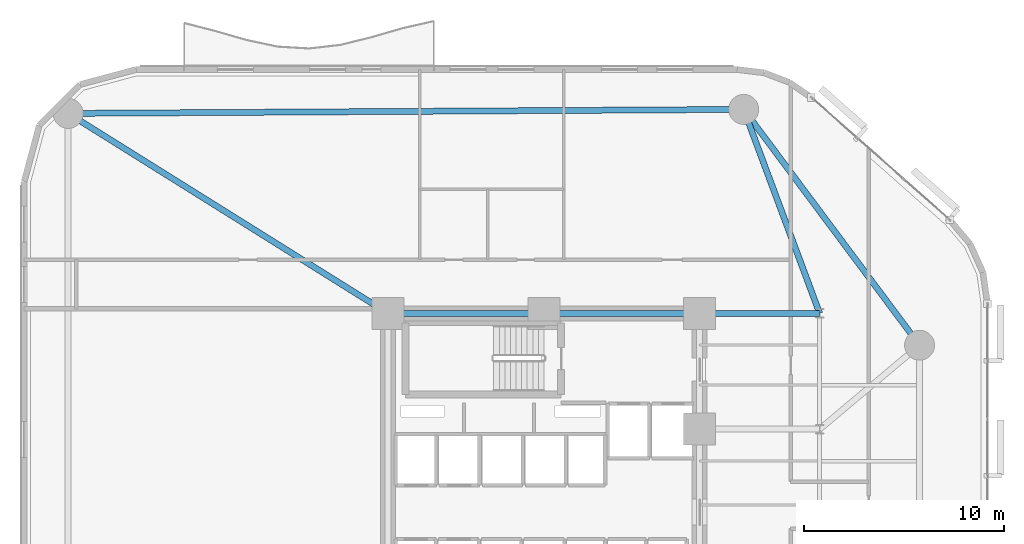
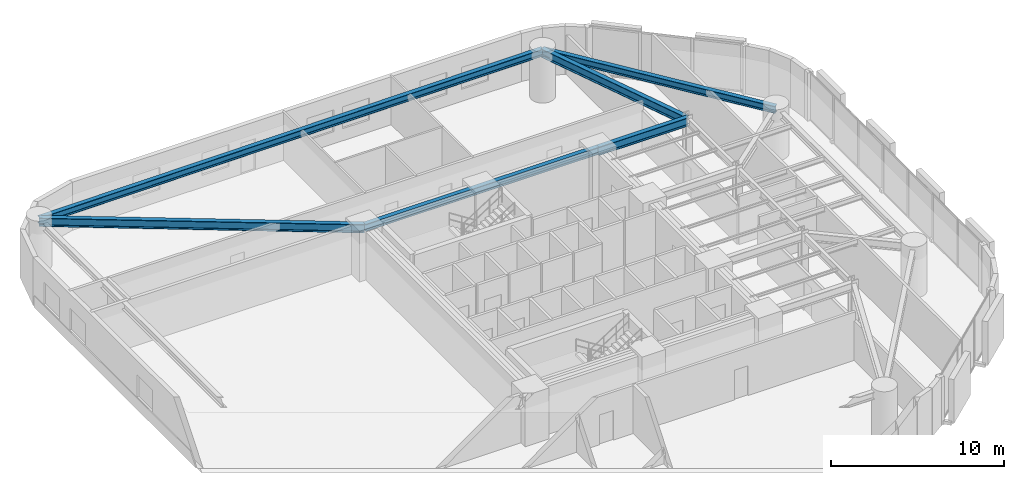
# One storey, part 7 of 15: 6 beams.
"""IFC4 building model written with IfcOpenShell, lengths in metres."""

import ifcopenshell
import ifcopenshell.guid

model = None  # the IFC model being written
_history = None  # IfcOwnerHistory: only IFC2X3 demands one
_inside = {}  # id of a spatial element -> (the spatial element, [elements in it])
_under = {}  # id of a project, library or spatial element -> (it, [spatial elements below it])
_declared = {}  # id of a project -> (the project, [libraries it declares])
_typed = {}  # id of a type object -> (the type object, [elements of that type])
_made_of = {}  # id of a material, layer set ... -> (it, [elements and type objects made of it])


def new_model(schema):
    """Start an empty IFC model of exactly this schema.

    Asked for "IFC4X3", IfcOpenShell would pick the latest addendum, in which some entities
    have other attributes; the version numbers below select the first issue.
    IFC2X3 requires an IfcOwnerHistory on every rooted entity: one is made here for all.
    """
    global model, _history
    if schema == "IFC4X3":
        model = ifcopenshell.file(schema_version=(4, 3, 0, 0))
    else:
        model = ifcopenshell.file(schema=schema)
    _inside.clear()
    _under.clear()
    _declared.clear()
    _typed.clear()
    _made_of.clear()
    _history = None
    if model.schema == "IFC2X3":
        org = make("IfcOrganization", Name="unknown")
        user = make(
            "IfcPersonAndOrganization",
            ThePerson=make("IfcPerson", FamilyName="unknown"),
            TheOrganization=org,
        )
        app = make(
            "IfcApplication",
            ApplicationDeveloper=org,
            Version="unknown",
            ApplicationFullName="unknown",
            ApplicationIdentifier="unknown",
        )
        _history = make(
            "IfcOwnerHistory",
            OwningUser=user,
            OwningApplication=app,
            ChangeAction="ADDED",
            CreationDate=0,
        )
    return model


def make(cls, **values):
    """One entity of the class cls with the attributes given. An attribute that is None is left unset."""
    return model.create_entity(
        cls, **{name: value for name, value in values.items() if value is not None}
    )


def rooted(cls, **values):
    """An entity with a GlobalId (a new one), such as an element, a storey or a relation."""
    return make(cls, GlobalId=ifcopenshell.guid.new(), OwnerHistory=_history, **values)


def si_unit(unit_type, name, prefix=None):
    """IfcSIUnit, for example si_unit("LENGTHUNIT", "METRE", prefix="MILLI")."""
    return make("IfcSIUnit", UnitType=unit_type, Prefix=prefix, Name=name)


def assignment(units):
    """IfcUnitAssignment: the units of a project."""
    return None if units is None else make("IfcUnitAssignment", Units=units)


def point(xyz):
    """IfcCartesianPoint."""
    return None if xyz is None else make("IfcCartesianPoint", Coordinates=xyz)


def direction(xyz):
    """IfcDirection."""
    return None if xyz is None else make("IfcDirection", DirectionRatios=xyz)


def frame(location, z_axis=None, x_axis=None):
    """IfcAxis2Placement3D, a coordinate frame: its origin and axes. An axis left out is left unset."""
    return make(
        "IfcAxis2Placement3D",
        Location=point(location),
        Axis=direction(z_axis),
        RefDirection=direction(x_axis),
    )


def frame_2d(location, x_axis=None):
    """IfcAxis2Placement2D, a coordinate frame in the plane: its origin and x axis."""
    return make(
        "IfcAxis2Placement2D", Location=point(location), RefDirection=direction(x_axis)
    )


def origin():
    """The frame at (0, 0, 0) with its axes left unset."""
    return frame((0.0, 0.0, 0.0))


def origin_2d():
    """The frame at (0, 0) in the plane with its x axis left unset."""
    return frame_2d((0.0, 0.0))


def place(relative_to, where):
    """IfcLocalPlacement: puts the frame where relative to a parent placement (None: the world)."""
    return make(
        "IfcLocalPlacement", PlacementRelTo=relative_to, RelativePlacement=where
    )


def context(
    kind, dimensions, precision=None, world=None, true_north=None, identifier=None
):
    """IfcGeometricRepresentationContext, for example the 3D "Model" context."""
    return make(
        "IfcGeometricRepresentationContext",
        ContextIdentifier=identifier,
        ContextType=kind,
        CoordinateSpaceDimension=dimensions,
        Precision=precision,
        WorldCoordinateSystem=world,
        TrueNorth=true_north,
    )


def subcontext(parent, identifier, kind, view, scale=None):
    """IfcGeometricRepresentationSubContext, for example "Body" below "Model"."""
    return make(
        "IfcGeometricRepresentationSubContext",
        ContextIdentifier=identifier,
        ContextType=kind,
        ParentContext=parent,
        TargetScale=scale,
        TargetView=view,
    )


def project(units=None, contexts=None):
    """IfcProject with its units and contexts."""
    return rooted(
        "IfcProject",
        Name="project",
        RepresentationContexts=contexts,
        UnitsInContext=assignment(units),
    )


def spatial(cls, under=None, at=None, **own):
    """A site, building, storey or space (cls), placed at a placement, below another one or the project."""
    s = rooted(cls, ObjectPlacement=at, **own)
    if under is not None:
        _under.setdefault(under.id(), (under, []))[1].append(s)
    return s


def profile(cls, at=None, kind="AREA", **sizes):
    """A parametric profile (cls). Its sizes go by their IFC names, for example OverallWidth=200.0."""
    return make(cls, ProfileType=kind, Position=at, **sizes)


def i_section(**sizes):
    """IfcIShapeProfileDef."""
    return profile("IfcIShapeProfileDef", **sizes)


def extrude(swept, where, along, depth):
    """IfcExtrudedAreaSolid: the profile swept, set in the frame where, extruded along a direction by depth."""
    return make(
        "IfcExtrudedAreaSolid",
        SweptArea=swept,
        Position=where,
        ExtrudedDirection=direction(along),
        Depth=depth,
    )


def shape(context_of_items, identifier, shape_type, items):
    """IfcShapeRepresentation: the items that make up one representation, for example the "Body"."""
    return make(
        "IfcShapeRepresentation",
        ContextOfItems=context_of_items,
        RepresentationIdentifier=identifier,
        RepresentationType=shape_type,
        Items=items,
    )


def material(Name=None, Category=None):
    """IfcMaterial."""
    return make("IfcMaterial", Name=Name, Category=Category)


def material_profile(
    of_material, cross_section, Name=None, Category=None, Priority=None
):
    """IfcMaterialProfile: a cross section and its material."""
    return make(
        "IfcMaterialProfile",
        Name=Name,
        Material=of_material,
        Profile=cross_section,
        Priority=Priority,
        Category=Category,
    )


def profile_set(profiles, Name=None, composite=None):
    """IfcMaterialProfileSet."""
    return make(
        "IfcMaterialProfileSet",
        Name=Name,
        MaterialProfiles=profiles,
        CompositeProfile=composite,
    )


def made_of(thing, what):
    """Note that an element or type object is made of a material, layer set ...; save() writes the relation."""
    if what is not None:
        _made_of.setdefault(what.id(), (what, []))[1].append(thing)
    return thing


def type_object(cls, material=None, **own):
    """A type object (cls), such as IfcWallType, which elements share."""
    return made_of(rooted(cls, **own), material)


def element(
    cls,
    number,
    at=None,
    inside=None,
    cuts=None,
    type_object=None,
    material=None,
    context=None,
    identifier="Body",
    shape_type=None,
    held_by="IfcProductDefinitionShape",
    body=None,
    shapes=None,
    **own,
):
    """One element of the class cls, such as IfcWall. Its Tag is "e" and its number.

    at: its placement. inside: the storey or other place that contains it. cuts: it is an
    opening in that element (IfcRelVoidsElement). A single representation is given by context,
    identifier, shape_type and body (its items); several are given by shapes. held_by: the class
    of the entity that holds the representations. save() writes the other relations.
    """
    e = rooted(cls, Tag="e%d" % number, ObjectPlacement=at, **own)
    if body is not None:
        shapes = [shape(context, identifier, shape_type, body)]
    if shapes is not None:
        e.Representation = make(held_by, Representations=shapes)
    if inside is not None:
        _inside.setdefault(inside.id(), (inside, []))[1].append(e)
    if cuts is not None:
        rooted(
            "IfcRelVoidsElement", RelatingBuildingElement=cuts, RelatedOpeningElement=e
        )
    if type_object is not None:
        _typed.setdefault(type_object.id(), (type_object, []))[1].append(e)
    return made_of(e, material)


def aggregate(whole, parts):
    """IfcRelAggregates: a whole, such as a stair, and the parts it consists of."""
    return rooted("IfcRelAggregates", RelatingObject=whole, RelatedObjects=parts)


def save(model, path):
    """Write the relations noted so far, then the file.

    IfcRelAggregates (storeys below a building ...), IfcRelContainedInSpatialStructure (elements
    in a storey), IfcRelDefinesByType, IfcRelAssociatesMaterial and IfcRelDeclares: one each for
    every whole, place, type object, material and project.
    """
    for whole, parts in _under.values():
        aggregate(whole, parts)
    for where, things in _inside.values():
        rooted(
            "IfcRelContainedInSpatialStructure",
            RelatedElements=things,
            RelatingStructure=where,
        )
    for kind, things in _typed.values():
        rooted("IfcRelDefinesByType", RelatedObjects=things, RelatingType=kind)
    for what, things in _made_of.values():
        rooted("IfcRelAssociatesMaterial", RelatedObjects=things, RelatingMaterial=what)
    for by, libraries in _declared.values():
        rooted("IfcRelDeclares", RelatingContext=by, RelatedDefinitions=libraries)
    model.write(path)


model = new_model("IFC4")

# Units and contexts
model_context = context("Model", 3, precision=1e-05, world=origin(), true_north=direction((0.0, 1.0)))
body_context = subcontext(model_context, "Body", "Model", "MODEL_VIEW")
ifc_project = project(units=[si_unit("LENGTHUNIT", "METRE"), si_unit("AREAUNIT", "SQUARE_METRE"), si_unit("VOLUMEUNIT", "CUBIC_METRE"), si_unit("PLANEANGLEUNIT", "RADIAN"), si_unit("MASSUNIT", "GRAM", prefix="KILO")], contexts=[model_context])

# Site, building, storey
site_placement = place(None, origin())
site = spatial("IfcSite", under=ifc_project, at=site_placement, CompositionType="ELEMENT")
building_placement = place(site_placement, origin())
building = spatial("IfcBuilding", under=site, at=building_placement, Name="An Khanh Terracotta Commons", CompositionType="ELEMENT")
storey_placement = place(building_placement, frame((0.0, 0.0, 64.800048828125)))
storey = spatial("IfcBuildingStorey", under=building, at=storey_placement, Name="L17", CompositionType="ELEMENT", Elevation=64.800048828125)

# Beams
ifc_material = material(Name="Steel S355J2", Category="steel")
ifc_material_profile_1 = material_profile(ifc_material, i_section(OverallWidth=0.300048828125, OverallDepth=0.5, WebThickness=0.014404296875, FlangeThickness=0.028076171875, FilletRadius=0.027099609375, at=origin_2d()), Name="HEB500")
ifc_profile_set_1 = profile_set([ifc_material_profile_1], Name="Steel S355J2")
beam_type_1 = type_object("IfcBeamType", Name="BM-HEB500", PredefinedType="BEAM", material=ifc_profile_set_1)
beam_1_placement = place(storey_placement, frame((21.60009765625, 33.60009765625, 3.14990234375), z_axis=(1.0, 0.0, 0.0), x_axis=(0.0, 1.0, 0.0)))
element("IfcBeam", 1, at=beam_1_placement, inside=storey, type_object=beam_type_1, Name="L17 Core North Coupling Girder", PredefinedType="BEAM", context=body_context, shape_type="SweptSolid", body=[
    extrude(i_section(OverallWidth=0.300048828125, OverallDepth=0.5, WebThickness=0.014404296875, FlangeThickness=0.028076171875, FilletRadius=0.027099609375, at=origin_2d()), origin(), (0.0, 0.0, 1.0), 15.599853515625),
])
beam_2_placement = place(storey_placement, frame((48.199951171875, 32.0, 3.14990234375), z_axis=(-0.59782442166, 0.801627070942, 0.0), x_axis=(-0.801627070942, -0.59782442166, 0.0)))
element("IfcBeam", 2, at=beam_2_placement, inside=storey, type_object=beam_type_1, Name="L17 Perimeter Ring Spandrel 4", PredefinedType="BEAM", context=body_context, shape_type="SweptSolid", body=[
    extrude(i_section(OverallWidth=0.300048828125, OverallDepth=0.5, WebThickness=0.014404296875, FlangeThickness=0.028076171875, FilletRadius=0.027099609375, at=origin_2d()), origin(), (0.0, 0.0, 1.0), 14.72021484375),
])
beam_3_placement = place(storey_placement, frame((39.39990234375, 43.800048828125, 3.14990234375), z_axis=(-0.999982502414, -0.005915645817, 0.0), x_axis=(0.005915645817, -0.999982502414, 0.0)))
element("IfcBeam", 3, at=beam_3_placement, inside=storey, type_object=beam_type_1, Name="L17 Perimeter Ring Spandrel 5", PredefinedType="BEAM", context=body_context, shape_type="SweptSolid", body=[
    extrude(i_section(OverallWidth=0.300048828125, OverallDepth=0.5, WebThickness=0.014404296875, FlangeThickness=0.028076171875, FilletRadius=0.027099609375, at=origin_2d()), origin(), (0.0, 0.0, 1.0), 33.80029296875),
])
ifc_material_profile_2 = material_profile(ifc_material, i_section(OverallWidth=0.300048828125, OverallDepth=0.60009765625, WebThickness=0.015380859375, FlangeThickness=0.030029296875, FilletRadius=0.027099609375, at=origin_2d()), Name="HEB600")
ifc_profile_set_2 = profile_set([ifc_material_profile_2], Name="Steel S355J2")
beam_type_2 = type_object("IfcBeamType", Name="BM-HEB600", PredefinedType="BEAM", material=ifc_profile_set_2)
beam_4_placement = place(storey_placement, frame((37.199951171875, 33.60009765625, 3.099853515625), z_axis=(1.0, 0.0, 0.0), x_axis=(0.0, 1.0, 0.0)))
element("IfcBeam", 4, at=beam_4_placement, inside=storey, type_object=beam_type_2, Name="L17 East Primary Floor Girder 4", PredefinedType="BEAM", context=body_context, shape_type="SweptSolid", body=[
    extrude(i_section(OverallWidth=0.300048828125, OverallDepth=0.60009765625, WebThickness=0.015380859375, FlangeThickness=0.030029296875, FilletRadius=0.027099609375, at=origin_2d()), origin(), (0.0, 0.0, 1.0), 6.0),
])
beam_5_placement = place(storey_placement, frame((39.39990234375, 43.800048828125, 3.099853515625), z_axis=(0.349114429862, -0.937080100558, 0.0), x_axis=(0.937080100558, 0.349114429862, 0.0)))
element("IfcBeam", 5, at=beam_5_placement, inside=storey, type_object=beam_type_2, Name="L17 Mega-Column Tie Girder 5", PredefinedType="BEAM", context=body_context, shape_type="SweptSolid", body=[
    extrude(i_section(OverallWidth=0.300048828125, OverallDepth=0.60009765625, WebThickness=0.015380859375, FlangeThickness=0.030029296875, FilletRadius=0.027099609375, at=origin_2d()), origin(), (0.0, 0.0, 1.0), 10.884765625),
])
beam_6_placement = place(storey_placement, frame((5.60009765625, 43.60009765625, 3.099853515625), z_axis=(0.847998304005, -0.529998940003, 0.0), x_axis=(0.529998940003, 0.847998304005, 0.0)))
element("IfcBeam", 6, at=beam_6_placement, inside=storey, type_object=beam_type_2, Name="L17 Mega-Column Tie Girder 6", PredefinedType="BEAM", context=body_context, shape_type="SweptSolid", body=[
    extrude(i_section(OverallWidth=0.300048828125, OverallDepth=0.60009765625, WebThickness=0.015380859375, FlangeThickness=0.030029296875, FilletRadius=0.027099609375, at=origin_2d()), origin(), (0.0, 0.0, 1.0), 18.867919921875),
])

save(model, "model.ifc")
